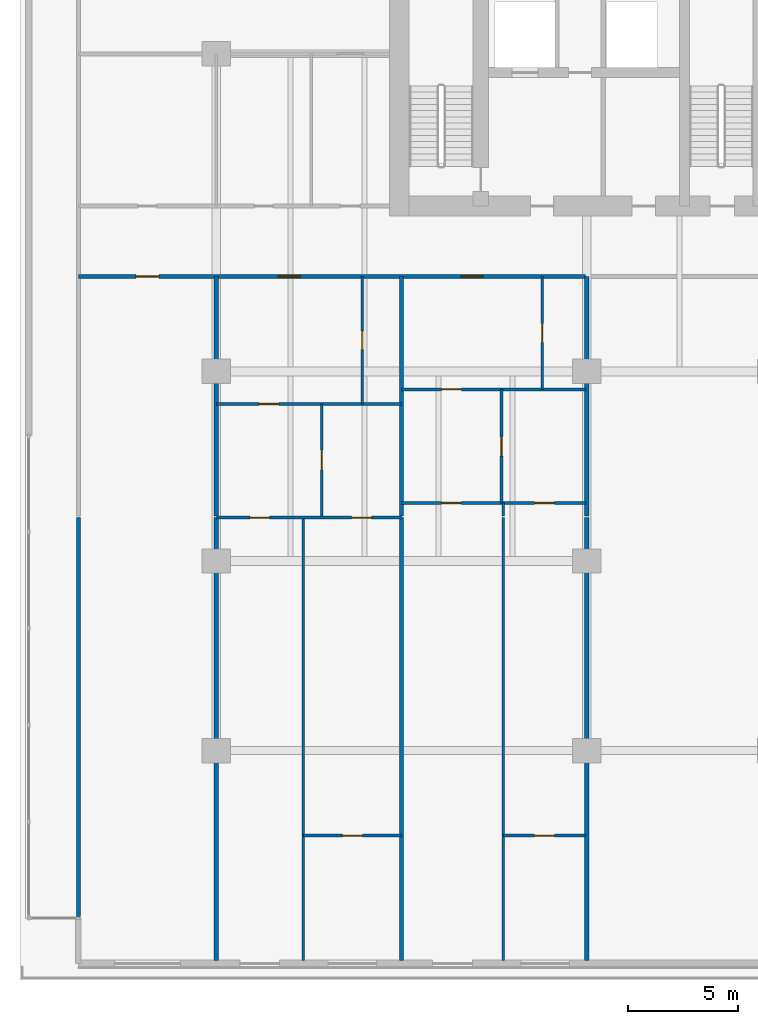
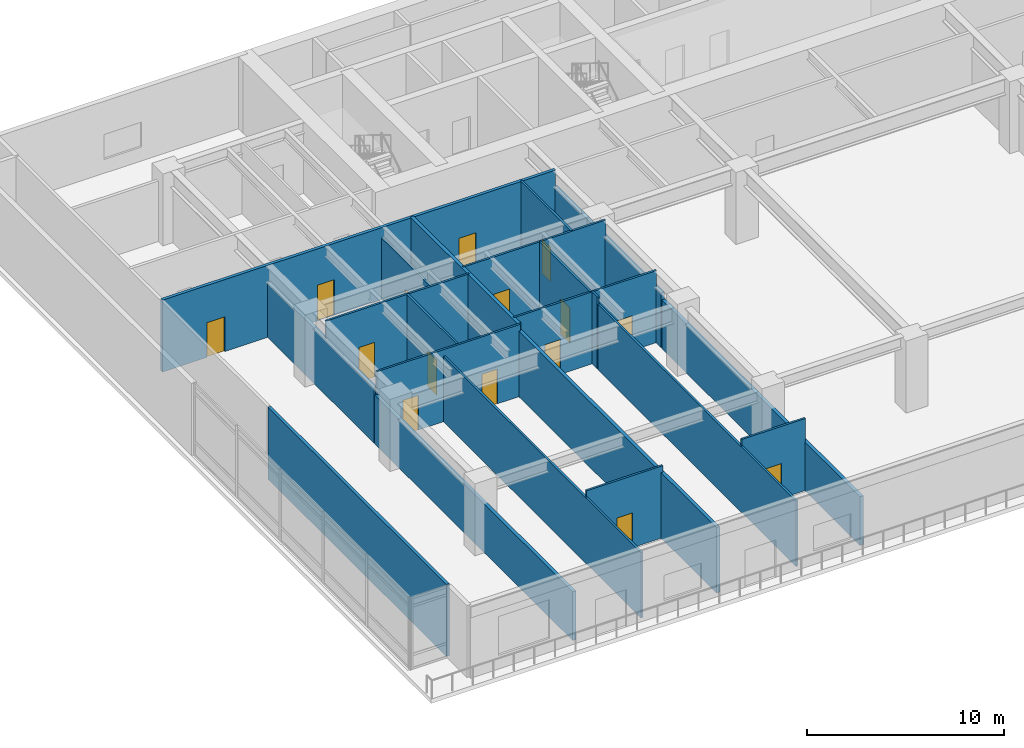
# One storey, part 6 of 13: 21 walls, 15 doors, 15 openings.
"""IFC4 building model written with IfcOpenShell, lengths in metres."""

from ifc_helpers import new_model, si_unit, direction, frame, frame_2d, origin, place, context, subcontext, project, spatial, rectangle, extrude, material, layer, layer_set, type_object, element, fill, save


model = new_model("IFC4")

# Units and contexts
model_context = context("Model", 3, precision=1e-05, world=origin(), true_north=direction((0.0, 1.0)))
body_context = subcontext(model_context, "Body", "Model", "MODEL_VIEW")
ifc_project = project(units=[si_unit("LENGTHUNIT", "METRE"), si_unit("AREAUNIT", "SQUARE_METRE"), si_unit("VOLUMEUNIT", "CUBIC_METRE"), si_unit("PLANEANGLEUNIT", "RADIAN"), si_unit("MASSUNIT", "GRAM", prefix="KILO")], contexts=[model_context])

# Site, building, storey
site_placement = place(None, origin())
site = spatial("IfcSite", under=ifc_project, at=site_placement, CompositionType="ELEMENT")
building_placement = place(site_placement, origin())
building = spatial("IfcBuilding", under=site, at=building_placement, Name="Caelmar Bay Residences", CompositionType="ELEMENT")
storey_placement = place(building_placement, frame((0.0, 0.0, 19.800048828125)))
storey = spatial("IfcBuildingStorey", under=building, at=storey_placement, Name="L04", CompositionType="ELEMENT", Elevation=19.800048828125)

# Wall
ifc_material_1 = material(Name="Double-stud acoustic fire-rated gypsum partition 180 mm")
ifc_layer_1 = layer(ifc_material_1, 0.179931640625)
ifc_layer_set_1 = layer_set([ifc_layer_1], Name="Double-stud acoustic fire-rated gypsum partition 180 mm")
wall_type_1 = type_object("IfcWallType", Name="W-COR-200", PredefinedType="PARTITIONING", material=ifc_layer_set_1)
wall_1_placement = place(storey_placement, frame((3.64990234375, 4.68505859375, 0.0), z_axis=(0.0, 0.0, 1.0), x_axis=(0.0, 1.0, 0.0)))
element("IfcWall", 1, at=wall_1_placement, inside=storey, type_object=wall_type_1, Name="L04 Partition Wall V001", PredefinedType="PARTITIONING", context=body_context, shape_type="SweptSolid", body=[
    extrude(rectangle(XDim=18.0849609375, YDim=0.179931640625, at=frame_2d((9.04248046875, 0.0))), origin(), (0.0, 0.0, 1.0), 4.449951171875),
])

# Wall, openings, doors
wall_2_placement = place(storey_placement, frame((3.64990234375, 33.699951171875, 0.0), z_axis=(0.0, 0.0, 1.0), x_axis=(1.0, 0.0, 0.0)))
wall_2 = element("IfcWall", 2, at=wall_2_placement, inside=storey, type_object=wall_type_1, Name="L04 Partition Wall H060", PredefinedType="PARTITIONING", context=body_context, shape_type="SweptSolid", body=[
    extrude(rectangle(XDim=23.0, YDim=0.179931640625, at=frame_2d((11.5, 0.0))), origin(), (0.0, 0.0, 1.0), 4.449951171875),
])
opening_1_placement = place(wall_2_placement, frame((2.60009765625, 0.0, 0.0)))
opening_1 = element("IfcOpeningElement", 3, at=opening_1_placement, cuts=wall_2, Name="Opening D-L04-123", PredefinedType="OPENING", context=body_context, shape_type="SweptSolid", body=[
    extrude(rectangle(XDim=1.050048828125, YDim=2.14990234375, at=frame_2d((0.52490234375, 1.074951171875))), frame((0.0, 0.099853515625, 0.0), z_axis=(0.0, -1.0, 0.0), x_axis=(1.0, 0.0, 0.0)), (0.0, 0.0, 1.0), 0.199951171875),
])
opening_2_placement = place(wall_2_placement, frame((9.05908203125, 0.0, 0.0)))
opening_2 = element("IfcOpeningElement", 4, at=opening_2_placement, cuts=wall_2, Name="Opening D-L04-124", PredefinedType="OPENING", context=body_context, shape_type="SweptSolid", body=[
    extrude(rectangle(XDim=1.0, YDim=2.199951171875, at=frame_2d((0.5, 1.10009765625))), frame((0.0, 0.099853515625, 0.0), z_axis=(0.0, -1.0, 0.0), x_axis=(1.0, 0.0, 0.0)), (0.0, 0.0, 1.0), 0.199951171875),
])
opening_3_placement = place(wall_2_placement, frame((17.343994140625, 0.0, 0.0)))
opening_3 = element("IfcOpeningElement", 5, at=opening_3_placement, cuts=wall_2, Name="Opening D-L04-131", PredefinedType="OPENING", context=body_context, shape_type="SweptSolid", body=[
    extrude(rectangle(XDim=1.0, YDim=2.199951171875, at=frame_2d((0.5, 1.10009765625))), frame((0.0, 0.099853515625, 0.0), z_axis=(0.0, -1.0, 0.0), x_axis=(1.0, 0.0, 0.0)), (0.0, 0.0, 1.0), 0.199951171875),
])
ifc_material_2 = material(Name="Fire-rated steel and walnut architectural door assembly", Category="steel")
ifc_layer_2 = layer(ifc_material_2, 0.050048828125)
ifc_layer_set_2 = layer_set([ifc_layer_2], Name="Fire-rated steel and walnut architectural door assembly")
door_type_1 = type_object("IfcDoorType", Name="D-FSAE-1050", OperationType="NOTDEFINED", PredefinedType="DOOR", material=ifc_layer_set_2)
door_1_placement = place(opening_1_placement, origin())
door_1 = element("IfcDoor", 6, at=door_1_placement, inside=storey, type_object=door_type_1, Name="L04 West Concierge Office L04 Door", OperationType="SINGLE_SWING_LEFT", OverallHeight=2.14990234375, OverallWidth=1.050048828125, PredefinedType="DOOR", context=body_context, shape_type="SweptSolid", body=[
    extrude(rectangle(XDim=1.050048828125, YDim=2.14990234375, at=frame_2d((0.52490234375, 1.074951171875))), frame((0.0, 0.02490234375, 0.0), z_axis=(0.0, -1.0, 0.0), x_axis=(1.0, 0.0, 0.0)), (0.0, 0.0, 1.0), 0.050048828125),
])
fill(opening_1, door_1)
ifc_layer_3 = layer(ifc_material_2, 0.050048828125)
ifc_layer_set_3 = layer_set([ifc_layer_3], Name="Fire-rated steel and walnut architectural door assembly")
door_type_2 = type_object("IfcDoorType", Name="D-UNIT-1000", OperationType="NOTDEFINED", PredefinedType="DOOR", material=ifc_layer_set_3)
door_2_placement = place(opening_2_placement, origin())
door_2 = element("IfcDoor", 7, at=door_2_placement, inside=storey, type_object=door_type_2, Name="L04 Residence 4A Apartment Hall Door", OperationType="SINGLE_SWING_RIGHT", OverallHeight=2.199951171875, OverallWidth=1.0, PredefinedType="DOOR", context=body_context, shape_type="SweptSolid", body=[
    extrude(rectangle(XDim=1.0, YDim=2.199951171875, at=frame_2d((0.5, 1.10009765625))), frame((0.0, 0.02490234375, 0.0), z_axis=(0.0, -1.0, 0.0), x_axis=(1.0, 0.0, 0.0)), (0.0, 0.0, 1.0), 0.050048828125),
])
fill(opening_2, door_2)
door_3_placement = place(opening_3_placement, origin())
door_3 = element("IfcDoor", 8, at=door_3_placement, inside=storey, type_object=door_type_2, Name="L04 Residence 4B Apartment Hall Door", OperationType="SINGLE_SWING_LEFT", OverallHeight=2.199951171875, OverallWidth=1.0, PredefinedType="DOOR", context=body_context, shape_type="SweptSolid", body=[
    extrude(rectangle(XDim=1.0, YDim=2.199951171875, at=frame_2d((0.5, 1.10009765625))), frame((0.0, 0.02490234375, 0.0), z_axis=(0.0, -1.0, 0.0), x_axis=(1.0, 0.0, 0.0)), (0.0, 0.0, 1.0), 0.050048828125),
])
fill(opening_3, door_3)

# Wall
ifc_material_3 = material(Name="Acoustic metal-stud gypsum partition 120 mm")
ifc_layer_4 = layer(ifc_material_3, 0.1201171875)
ifc_layer_set_4 = layer_set([ifc_layer_4], Name="Acoustic metal-stud gypsum partition 120 mm")
wall_type_2 = type_object("IfcWallType", Name="W-PRT-120", PredefinedType="PARTITIONING", material=ifc_layer_set_4)
wall_3_placement = place(storey_placement, frame((13.847900390625, 2.695068359375, 0.0), z_axis=(0.0, 0.0, 1.0), x_axis=(0.0, 1.0, 0.0)))
element("IfcWall", 9, at=wall_3_placement, inside=storey, type_object=wall_type_2, Name="L04 Partition Wall V006", PredefinedType="PARTITIONING", context=body_context, shape_type="SweptSolid", body=[
    extrude(rectangle(XDim=20.074951171875, YDim=0.1201171875, at=frame_2d((10.03759765625, 0.0))), origin(), (0.0, 0.0, 1.0), 4.050048828125),
])

# Wall, opening, door
wall_4_placement = place(storey_placement, frame((14.68603515625, 22.840087890625, 0.0), z_axis=(0.0, 0.0, 1.0), x_axis=(0.0, 1.0, 0.0)))
wall_4 = element("IfcWall", 10, at=wall_4_placement, inside=storey, type_object=wall_type_2, Name="L04 Partition Wall V008", PredefinedType="PARTITIONING", context=body_context, shape_type="SweptSolid", body=[
    extrude(rectangle(XDim=5.079833984375, YDim=0.1201171875, at=frame_2d((2.5400390625, 0.0))), origin(), (0.0, 0.0, 1.0), 4.449951171875),
])
opening_4_placement = place(wall_4_placement, frame((2.090087890625, 0.0, 0.0)))
opening_4 = element("IfcOpeningElement", 11, at=opening_4_placement, cuts=wall_4, Name="Opening D-L04-127", PredefinedType="OPENING", context=body_context, shape_type="SweptSolid", body=[
    extrude(rectangle(XDim=0.89990234375, YDim=2.14990234375, at=frame_2d((0.449951171875, 1.074951171875))), frame((0.0, 0.070068359375, 0.0), z_axis=(0.0, -1.0, 0.0), x_axis=(1.0, 0.0, 0.0)), (0.0, 0.0, 1.0), 0.14013671875),
])
ifc_material_4 = material(Name="Solid walnut timber interior door leaf and frame", Category="wood")
ifc_layer_5 = layer(ifc_material_4, 0.050048828125)
ifc_layer_set_5 = layer_set([ifc_layer_5], Name="Solid walnut timber interior door leaf and frame")
door_type_3 = type_object("IfcDoorType", Name="D-ROOM-900", OperationType="NOTDEFINED", PredefinedType="DOOR", material=ifc_layer_set_5)
door_4_placement = place(opening_4_placement, origin())
door_4 = element("IfcDoor", 12, at=door_4_placement, inside=storey, type_object=door_type_3, Name="L04 Residence 4A Study Door", OperationType="SINGLE_SWING_LEFT", OverallHeight=2.14990234375, OverallWidth=0.89990234375, PredefinedType="DOOR", context=body_context, shape_type="SweptSolid", body=[
    extrude(rectangle(XDim=0.89990234375, YDim=2.14990234375, at=frame_2d((0.449951171875, 1.074951171875))), frame((0.0, 0.02490234375, 0.0), z_axis=(0.0, -1.0, 0.0), x_axis=(1.0, 0.0, 0.0)), (0.0, 0.0, 1.0), 0.050048828125),
])
fill(opening_4, door_4)

wall_5_placement = place(storey_placement, frame((16.51806640625, 27.919921875, 0.0), z_axis=(0.0, 0.0, 1.0), x_axis=(0.0, 1.0, 0.0)))
wall_5 = element("IfcWall", 13, at=wall_5_placement, inside=storey, type_object=wall_type_2, Name="L04 Partition Wall V009", PredefinedType="PARTITIONING", context=body_context, shape_type="SweptSolid", body=[
    extrude(rectangle(XDim=5.780029296875, YDim=0.1201171875, at=frame_2d((2.89013671875, 0.0))), origin(), (0.0, 0.0, 1.0), 3.822998046875),
])
opening_5_placement = place(wall_5_placement, frame((2.465087890625, 0.0, 0.0)))
opening_5 = element("IfcOpeningElement", 14, at=opening_5_placement, cuts=wall_5, Name="Opening D-L04-125", PredefinedType="OPENING", context=body_context, shape_type="SweptSolid", body=[
    extrude(rectangle(XDim=0.85009765625, YDim=2.10009765625, at=frame_2d((0.425048828125, 1.050048828125))), frame((0.0, 0.070068359375, 0.0), z_axis=(0.0, -1.0, 0.0), x_axis=(1.0, 0.0, 0.0)), (0.0, 0.0, 1.0), 0.14013671875),
])
ifc_layer_6 = layer(ifc_material_4, 0.050048828125)
ifc_layer_set_6 = layer_set([ifc_layer_6], Name="Solid walnut timber interior door leaf and frame")
door_type_4 = type_object("IfcDoorType", Name="D-BATH-850", OperationType="NOTDEFINED", PredefinedType="DOOR", material=ifc_layer_set_6)
door_5_placement = place(opening_5_placement, origin())
door_5 = element("IfcDoor", 15, at=door_5_placement, inside=storey, type_object=door_type_4, Name="L04 Residence 4A Bathroom Door", OperationType="SINGLE_SWING_LEFT", OverallHeight=2.10009765625, OverallWidth=0.85009765625, PredefinedType="DOOR", context=body_context, shape_type="SweptSolid", body=[
    extrude(rectangle(XDim=0.85009765625, YDim=2.10009765625, at=frame_2d((0.425048828125, 1.050048828125))), frame((0.0, 0.02490234375, 0.0), z_axis=(0.0, -1.0, 0.0), x_axis=(1.0, 0.0, 0.0)), (0.0, 0.0, 1.0), 0.050048828125),
])
fill(opening_5, door_5)

wall_6_placement = place(storey_placement, frame((22.8359375, 23.429931640625, 0.0), z_axis=(0.0, 0.0, 1.0), x_axis=(0.0, 1.0, 0.0)))
wall_6 = element("IfcWall", 16, at=wall_6_placement, inside=storey, type_object=wall_type_2, Name="L04 Partition Wall V014", PredefinedType="PARTITIONING", context=body_context, shape_type="SweptSolid", body=[
    extrude(rectangle(XDim=5.150146484375, YDim=0.1201171875, at=frame_2d((2.5751953125, 0.0))), origin(), (0.0, 0.0, 1.0), 4.449951171875),
])
opening_6_placement = place(wall_6_placement, frame((2.125, 0.0, 0.0)))
opening_6 = element("IfcOpeningElement", 17, at=opening_6_placement, cuts=wall_6, Name="Opening D-L04-134", PredefinedType="OPENING", context=body_context, shape_type="SweptSolid", body=[
    extrude(rectangle(XDim=0.89990234375, YDim=2.14990234375, at=frame_2d((0.449951171875, 1.074951171875))), frame((0.0, 0.070068359375, 0.0), z_axis=(0.0, -1.0, 0.0), x_axis=(1.0, 0.0, 0.0)), (0.0, 0.0, 1.0), 0.14013671875),
])
door_6_placement = place(opening_6_placement, origin())
door_6 = element("IfcDoor", 18, at=door_6_placement, inside=storey, type_object=door_type_3, Name="L04 Residence 4B Private Reception Salon Door", OperationType="SINGLE_SWING_RIGHT", OverallHeight=2.14990234375, OverallWidth=0.89990234375, PredefinedType="DOOR", context=body_context, shape_type="SweptSolid", body=[
    extrude(rectangle(XDim=0.89990234375, YDim=2.14990234375, at=frame_2d((0.449951171875, 1.074951171875))), frame((0.0, 0.02490234375, 0.0), z_axis=(0.0, -1.0, 0.0), x_axis=(1.0, 0.0, 0.0)), (0.0, 0.0, 1.0), 0.050048828125),
])
fill(opening_6, door_6)

# Walls
wall_7_placement = place(storey_placement, frame((22.919921875, 2.695068359375, 0.0), z_axis=(0.0, 0.0, 1.0), x_axis=(0.0, 1.0, 0.0)))
element("IfcWall", 19, at=wall_7_placement, inside=storey, type_object=wall_type_2, Name="L04 Partition Wall V015", PredefinedType="PARTITIONING", context=body_context, shape_type="SweptSolid", body=[
    extrude(rectangle(XDim=20.074951171875, YDim=0.1201171875, at=frame_2d((10.03759765625, 0.0))), origin(), (0.0, 0.0, 1.0), 4.050048828125),
])
wall_8_placement = place(storey_placement, frame((22.919921875, 22.840087890625, 0.0), z_axis=(0.0, 0.0, 1.0), x_axis=(0.0, 1.0, 0.0)))
element("IfcWall", 20, at=wall_8_placement, inside=storey, type_object=wall_type_2, Name="L04 Partition Wall V016", PredefinedType="PARTITIONING", context=body_context, shape_type="SweptSolid", body=[
    extrude(rectangle(XDim=0.5849609375, YDim=0.1201171875, at=frame_2d((0.29248046875, 0.0))), origin(), (0.0, 0.0, 1.0), 4.449951171875),
])

# Wall, opening, door
wall_9_placement = place(storey_placement, frame((24.68798828125, 28.580078125, 0.0), z_axis=(0.0, 0.0, 1.0), x_axis=(0.0, 1.0, 0.0)))
wall_9 = element("IfcWall", 21, at=wall_9_placement, inside=storey, type_object=wall_type_2, Name="L04 Partition Wall V017", PredefinedType="PARTITIONING", context=body_context, shape_type="SweptSolid", body=[
    extrude(rectangle(XDim=5.119873046875, YDim=0.1201171875, at=frame_2d((2.56005859375, 0.0))), origin(), (0.0, 0.0, 1.0), 4.449951171875),
])
opening_7_placement = place(wall_9_placement, frame((2.135009765625, 0.0, 0.0)))
opening_7 = element("IfcOpeningElement", 22, at=opening_7_placement, cuts=wall_9, Name="Opening D-L04-132", PredefinedType="OPENING", context=body_context, shape_type="SweptSolid", body=[
    extrude(rectangle(XDim=0.85009765625, YDim=2.10009765625, at=frame_2d((0.425048828125, 1.050048828125))), frame((0.0, 0.070068359375, 0.0), z_axis=(0.0, -1.0, 0.0), x_axis=(1.0, 0.0, 0.0)), (0.0, 0.0, 1.0), 0.14013671875),
])
door_7_placement = place(opening_7_placement, origin())
door_7 = element("IfcDoor", 23, at=door_7_placement, inside=storey, type_object=door_type_4, Name="L04 Residence 4B Bathroom Door", OperationType="SINGLE_SWING_RIGHT", OverallHeight=2.10009765625, OverallWidth=0.85009765625, PredefinedType="DOOR", context=body_context, shape_type="SweptSolid", body=[
    extrude(rectangle(XDim=0.85009765625, YDim=2.10009765625, at=frame_2d((0.425048828125, 1.050048828125))), frame((0.0, 0.02490234375, 0.0), z_axis=(0.0, -1.0, 0.0), x_axis=(1.0, 0.0, 0.0)), (0.0, 0.0, 1.0), 0.050048828125),
])
fill(opening_7, door_7)

wall_10_placement = place(storey_placement, frame((13.847900390625, 8.35009765625, 0.0), z_axis=(0.0, 0.0, 1.0), x_axis=(1.0, 0.0, 0.0)))
wall_10 = element("IfcWall", 24, at=wall_10_placement, inside=storey, type_object=wall_type_2, Name="L04 Partition Wall H049", PredefinedType="PARTITIONING", context=body_context, shape_type="SweptSolid", body=[
    extrude(rectangle(XDim=4.4521484375, YDim=0.1201171875, at=frame_2d((2.22607421875, 0.0))), origin(), (0.0, 0.0, 1.0), 4.449951171875),
])
opening_8_placement = place(wall_10_placement, frame((1.77587890625, 0.0, 0.0)))
opening_8 = element("IfcOpeningElement", 25, at=opening_8_placement, cuts=wall_10, Name="Opening D-L04-130", PredefinedType="OPENING", context=body_context, shape_type="SweptSolid", body=[
    extrude(rectangle(XDim=0.89990234375, YDim=2.14990234375, at=frame_2d((0.449951171875, 1.074951171875))), frame((0.0, 0.070068359375, 0.0), z_axis=(0.0, -1.0, 0.0), x_axis=(1.0, 0.0, 0.0)), (0.0, 0.0, 1.0), 0.14013671875),
])
door_8_placement = place(opening_8_placement, origin())
door_8 = element("IfcDoor", 26, at=door_8_placement, inside=storey, type_object=door_type_3, Name="L04 Residence 4A Primary Bedroom Door", OperationType="SINGLE_SWING_RIGHT", OverallHeight=2.14990234375, OverallWidth=0.89990234375, PredefinedType="DOOR", context=body_context, shape_type="SweptSolid", body=[
    extrude(rectangle(XDim=0.89990234375, YDim=2.14990234375, at=frame_2d((0.449951171875, 1.074951171875))), frame((0.0, 0.02490234375, 0.0), z_axis=(0.0, -1.0, 0.0), x_axis=(1.0, 0.0, 0.0)), (0.0, 0.0, 1.0), 0.050048828125),
])
fill(opening_8, door_8)

wall_11_placement = place(storey_placement, frame((22.919921875, 8.35009765625, 0.0), z_axis=(0.0, 0.0, 1.0), x_axis=(1.0, 0.0, 0.0)))
wall_11 = element("IfcWall", 27, at=wall_11_placement, inside=storey, type_object=wall_type_2, Name="L04 Partition Wall H050", PredefinedType="PARTITIONING", context=body_context, shape_type="SweptSolid", body=[
    extrude(rectangle(XDim=3.72998046875, YDim=0.1201171875, at=frame_2d((1.864990234375, 0.0))), origin(), (0.0, 0.0, 1.0), 4.449951171875),
])
opening_9_placement = place(wall_11_placement, frame((1.4150390625, 0.0, 0.0)))
opening_9 = element("IfcOpeningElement", 28, at=opening_9_placement, cuts=wall_11, Name="Opening D-L04-137", PredefinedType="OPENING", context=body_context, shape_type="SweptSolid", body=[
    extrude(rectangle(XDim=0.89990234375, YDim=2.14990234375, at=frame_2d((0.449951171875, 1.074951171875))), frame((0.0, 0.070068359375, 0.0), z_axis=(0.0, -1.0, 0.0), x_axis=(1.0, 0.0, 0.0)), (0.0, 0.0, 1.0), 0.14013671875),
])
door_9_placement = place(opening_9_placement, origin())
door_9 = element("IfcDoor", 29, at=door_9_placement, inside=storey, type_object=door_type_3, Name="L04 Residence 4B Primary Bedroom Door", OperationType="SINGLE_SWING_LEFT", OverallHeight=2.14990234375, OverallWidth=0.89990234375, PredefinedType="DOOR", context=body_context, shape_type="SweptSolid", body=[
    extrude(rectangle(XDim=0.89990234375, YDim=2.14990234375, at=frame_2d((0.449951171875, 1.074951171875))), frame((0.0, 0.02490234375, 0.0), z_axis=(0.0, -1.0, 0.0), x_axis=(1.0, 0.0, 0.0)), (0.0, 0.0, 1.0), 0.050048828125),
])
fill(opening_9, door_9)

# Wall, openings, doors
wall_12_placement = place(storey_placement, frame((9.89990234375, 22.77001953125, 0.0), z_axis=(0.0, 0.0, 1.0), x_axis=(1.0, 0.0, 0.0)))
wall_12 = element("IfcWall", 30, at=wall_12_placement, inside=storey, type_object=wall_type_2, Name="L04 Partition Wall H052", PredefinedType="PARTITIONING", context=body_context, shape_type="SweptSolid", body=[
    extrude(rectangle(XDim=8.400146484375, YDim=0.1201171875, at=frame_2d((4.2001953125, 0.0))), origin(), (0.0, 0.0, 1.0), 4.449951171875),
])
opening_10_placement = place(wall_12_placement, frame((1.52392578125, 0.0, 0.0)))
opening_10 = element("IfcOpeningElement", 31, at=opening_10_placement, cuts=wall_12, Name="Opening D-L04-128", PredefinedType="OPENING", context=body_context, shape_type="SweptSolid", body=[
    extrude(rectangle(XDim=0.89990234375, YDim=2.14990234375, at=frame_2d((0.449951171875, 1.074951171875))), frame((0.0, 0.070068359375, 0.0), z_axis=(0.0, -1.0, 0.0), x_axis=(1.0, 0.0, 0.0)), (0.0, 0.0, 1.0), 0.14013671875),
])
opening_11_placement = place(wall_12_placement, frame((6.14306640625, 0.0, 0.0)))
opening_11 = element("IfcOpeningElement", 32, at=opening_11_placement, cuts=wall_12, Name="Opening D-L04-129", PredefinedType="OPENING", context=body_context, shape_type="SweptSolid", body=[
    extrude(rectangle(XDim=0.89990234375, YDim=2.14990234375, at=frame_2d((0.449951171875, 1.074951171875))), frame((0.0, 0.070068359375, 0.0), z_axis=(0.0, -1.0, 0.0), x_axis=(1.0, 0.0, 0.0)), (0.0, 0.0, 1.0), 0.14013671875),
])
door_10_placement = place(opening_10_placement, origin())
door_10 = element("IfcDoor", 33, at=door_10_placement, inside=storey, type_object=door_type_3, Name="L04 Residence 4A Penthouse Living Salon Door", OperationType="SINGLE_SWING_RIGHT", OverallHeight=2.14990234375, OverallWidth=0.89990234375, PredefinedType="DOOR", context=body_context, shape_type="SweptSolid", body=[
    extrude(rectangle(XDim=0.89990234375, YDim=2.14990234375, at=frame_2d((0.449951171875, 1.074951171875))), frame((0.0, 0.02490234375, 0.0), z_axis=(0.0, -1.0, 0.0), x_axis=(1.0, 0.0, 0.0)), (0.0, 0.0, 1.0), 0.050048828125),
])
fill(opening_10, door_10)
door_11_placement = place(opening_11_placement, origin())
door_11 = element("IfcDoor", 34, at=door_11_placement, inside=storey, type_object=door_type_3, Name="L04 Residence 4A Penthouse Sitting Room Door", OperationType="SINGLE_SWING_LEFT", OverallHeight=2.14990234375, OverallWidth=0.89990234375, PredefinedType="DOOR", context=body_context, shape_type="SweptSolid", body=[
    extrude(rectangle(XDim=0.89990234375, YDim=2.14990234375, at=frame_2d((0.449951171875, 1.074951171875))), frame((0.0, 0.02490234375, 0.0), z_axis=(0.0, -1.0, 0.0), x_axis=(1.0, 0.0, 0.0)), (0.0, 0.0, 1.0), 0.050048828125),
])
fill(opening_11, door_11)

wall_13_placement = place(storey_placement, frame((18.300048828125, 23.429931640625, 0.0), z_axis=(0.0, 0.0, 1.0), x_axis=(1.0, 0.0, 0.0)))
wall_13 = element("IfcWall", 35, at=wall_13_placement, inside=storey, type_object=wall_type_2, Name="L04 Partition Wall H055", PredefinedType="PARTITIONING", context=body_context, shape_type="SweptSolid", body=[
    extrude(rectangle(XDim=8.349853515625, YDim=0.1201171875, at=frame_2d((4.1748046875, 0.0))), origin(), (0.0, 0.0, 1.0), 4.449951171875),
])
opening_12_placement = place(wall_13_placement, frame((1.818115234375, 0.0, 0.0)))
opening_12 = element("IfcOpeningElement", 36, at=opening_12_placement, cuts=wall_13, Name="Opening D-L04-135", PredefinedType="OPENING", context=body_context, shape_type="SweptSolid", body=[
    extrude(rectangle(XDim=0.89990234375, YDim=2.14990234375, at=frame_2d((0.449951171875, 1.074951171875))), frame((0.0, 0.070068359375, 0.0), z_axis=(0.0, -1.0, 0.0), x_axis=(1.0, 0.0, 0.0)), (0.0, 0.0, 1.0), 0.14013671875),
])
opening_13_placement = place(wall_13_placement, frame((6.034912109375, 0.0, 0.0)))
opening_13 = element("IfcOpeningElement", 37, at=opening_13_placement, cuts=wall_13, Name="Opening D-L04-136", PredefinedType="OPENING", context=body_context, shape_type="SweptSolid", body=[
    extrude(rectangle(XDim=0.89990234375, YDim=2.14990234375, at=frame_2d((0.449951171875, 1.074951171875))), frame((0.0, 0.070068359375, 0.0), z_axis=(0.0, -1.0, 0.0), x_axis=(1.0, 0.0, 0.0)), (0.0, 0.0, 1.0), 0.14013671875),
])
door_12_placement = place(opening_12_placement, origin())
door_12 = element("IfcDoor", 38, at=door_12_placement, inside=storey, type_object=door_type_3, Name="L04 Residence 4B Penthouse Living Salon Door", OperationType="SINGLE_SWING_LEFT", OverallHeight=2.14990234375, OverallWidth=0.89990234375, PredefinedType="DOOR", context=body_context, shape_type="SweptSolid", body=[
    extrude(rectangle(XDim=0.89990234375, YDim=2.14990234375, at=frame_2d((0.449951171875, 1.074951171875))), frame((0.0, 0.02490234375, 0.0), z_axis=(0.0, -1.0, 0.0), x_axis=(1.0, 0.0, 0.0)), (0.0, 0.0, 1.0), 0.050048828125),
])
fill(opening_12, door_12)
door_13_placement = place(opening_13_placement, origin())
door_13 = element("IfcDoor", 39, at=door_13_placement, inside=storey, type_object=door_type_3, Name="L04 Residence 4B Penthouse Sitting Room Door", OperationType="SINGLE_SWING_RIGHT", OverallHeight=2.14990234375, OverallWidth=0.89990234375, PredefinedType="DOOR", context=body_context, shape_type="SweptSolid", body=[
    extrude(rectangle(XDim=0.89990234375, YDim=2.14990234375, at=frame_2d((0.449951171875, 1.074951171875))), frame((0.0, 0.02490234375, 0.0), z_axis=(0.0, -1.0, 0.0), x_axis=(1.0, 0.0, 0.0)), (0.0, 0.0, 1.0), 0.050048828125),
])
fill(opening_13, door_13)

# Wall, opening, door
wall_14_placement = place(storey_placement, frame((9.89990234375, 27.919921875, 0.0), z_axis=(0.0, 0.0, 1.0), x_axis=(1.0, 0.0, 0.0)))
wall_14 = element("IfcWall", 40, at=wall_14_placement, inside=storey, type_object=wall_type_2, Name="L04 Partition Wall H058", PredefinedType="PARTITIONING", context=body_context, shape_type="SweptSolid", body=[
    extrude(rectangle(XDim=8.400146484375, YDim=0.1201171875, at=frame_2d((4.2001953125, 0.0))), origin(), (0.0, 0.0, 1.0), 4.449951171875),
])
opening_14_placement = place(wall_14_placement, frame((1.943115234375, 0.0, 0.0)))
opening_14 = element("IfcOpeningElement", 41, at=opening_14_placement, cuts=wall_14, Name="Opening D-L04-126", PredefinedType="OPENING", context=body_context, shape_type="SweptSolid", body=[
    extrude(rectangle(XDim=0.89990234375, YDim=2.14990234375, at=frame_2d((0.449951171875, 1.074951171875))), frame((0.0, 0.070068359375, 0.0), z_axis=(0.0, -1.0, 0.0), x_axis=(1.0, 0.0, 0.0)), (0.0, 0.0, 1.0), 0.14013671875),
])
door_14_placement = place(opening_14_placement, origin())
door_14 = element("IfcDoor", 42, at=door_14_placement, inside=storey, type_object=door_type_3, Name="L04 Residence 4A Kitchen Door", OperationType="SINGLE_SWING_RIGHT", OverallHeight=2.14990234375, OverallWidth=0.89990234375, PredefinedType="DOOR", context=body_context, shape_type="SweptSolid", body=[
    extrude(rectangle(XDim=0.89990234375, YDim=2.14990234375, at=frame_2d((0.449951171875, 1.074951171875))), frame((0.0, 0.02490234375, 0.0), z_axis=(0.0, -1.0, 0.0), x_axis=(1.0, 0.0, 0.0)), (0.0, 0.0, 1.0), 0.050048828125),
])
fill(opening_14, door_14)

wall_15_placement = place(storey_placement, frame((18.300048828125, 28.580078125, 0.0), z_axis=(0.0, 0.0, 1.0), x_axis=(1.0, 0.0, 0.0)))
wall_15 = element("IfcWall", 43, at=wall_15_placement, inside=storey, type_object=wall_type_2, Name="L04 Partition Wall H059", PredefinedType="PARTITIONING", context=body_context, shape_type="SweptSolid", body=[
    extrude(rectangle(XDim=8.349853515625, YDim=0.1201171875, at=frame_2d((4.1748046875, 0.0))), origin(), (0.0, 0.0, 1.0), 4.449951171875),
])
opening_15_placement = place(wall_15_placement, frame((1.818115234375, 0.0, 0.0)))
opening_15 = element("IfcOpeningElement", 44, at=opening_15_placement, cuts=wall_15, Name="Opening D-L04-133", PredefinedType="OPENING", context=body_context, shape_type="SweptSolid", body=[
    extrude(rectangle(XDim=0.89990234375, YDim=2.14990234375, at=frame_2d((0.449951171875, 1.074951171875))), frame((0.0, 0.070068359375, 0.0), z_axis=(0.0, -1.0, 0.0), x_axis=(1.0, 0.0, 0.0)), (0.0, 0.0, 1.0), 0.14013671875),
])
door_15_placement = place(opening_15_placement, origin())
door_15 = element("IfcDoor", 45, at=door_15_placement, inside=storey, type_object=door_type_3, Name="L04 Residence 4B Kitchen Door", OperationType="SINGLE_SWING_LEFT", OverallHeight=2.14990234375, OverallWidth=0.89990234375, PredefinedType="DOOR", context=body_context, shape_type="SweptSolid", body=[
    extrude(rectangle(XDim=0.89990234375, YDim=2.14990234375, at=frame_2d((0.449951171875, 1.074951171875))), frame((0.0, 0.02490234375, 0.0), z_axis=(0.0, -1.0, 0.0), x_axis=(1.0, 0.0, 0.0)), (0.0, 0.0, 1.0), 0.050048828125),
])
fill(opening_15, door_15)

# Walls
ifc_material_5 = material(Name="Acoustic twin-stud fire-rated inter-tenancy partition 200 mm")
ifc_layer_7 = layer(ifc_material_5, 0.199951171875)
ifc_layer_set_7 = layer_set([ifc_layer_7], Name="Acoustic twin-stud fire-rated inter-tenancy partition 200 mm")
wall_type_3 = type_object("IfcWallType", Name="W-PTY-200", PredefinedType="PARTITIONING", material=ifc_layer_set_7)
wall_16_placement = place(storey_placement, frame((9.89990234375, 2.695068359375, 0.0), z_axis=(0.0, 0.0, 1.0), x_axis=(0.0, 1.0, 0.0)))
element("IfcWall", 46, at=wall_16_placement, inside=storey, type_object=wall_type_3, Name="L04 Partition Wall V003", PredefinedType="PARTITIONING", context=body_context, shape_type="SweptSolid", body=[
    extrude(rectangle(XDim=20.074951171875, YDim=0.199951171875, at=frame_2d((10.03759765625, 0.0))), origin(), (0.0, 0.0, 1.0), 3.013916015625),
])
wall_17_placement = place(storey_placement, frame((9.89990234375, 22.840087890625, 0.0), z_axis=(0.0, 0.0, 1.0), x_axis=(0.0, 1.0, 0.0)))
element("IfcWall", 47, at=wall_17_placement, inside=storey, type_object=wall_type_3, Name="L04 Partition Wall V004", PredefinedType="PARTITIONING", context=body_context, shape_type="SweptSolid", body=[
    extrude(rectangle(XDim=10.85986328125, YDim=0.199951171875, at=frame_2d((5.429931640625, 0.0))), origin(), (0.0, 0.0, 1.0), 3.4140625),
])
wall_18_placement = place(storey_placement, frame((18.300048828125, 2.695068359375, 0.0), z_axis=(0.0, 0.0, 1.0), x_axis=(0.0, 1.0, 0.0)))
element("IfcWall", 48, at=wall_18_placement, inside=storey, type_object=wall_type_3, Name="L04 Partition Wall V010", PredefinedType="PARTITIONING", context=body_context, shape_type="SweptSolid", body=[
    extrude(rectangle(XDim=20.074951171875, YDim=0.199951171875, at=frame_2d((10.03759765625, 0.0))), origin(), (0.0, 0.0, 1.0), 4.050048828125),
])
wall_19_placement = place(storey_placement, frame((18.300048828125, 22.840087890625, 0.0), z_axis=(0.0, 0.0, 1.0), x_axis=(0.0, 1.0, 0.0)))
element("IfcWall", 49, at=wall_19_placement, inside=storey, type_object=wall_type_3, Name="L04 Partition Wall V011", PredefinedType="PARTITIONING", context=body_context, shape_type="SweptSolid", body=[
    extrude(rectangle(XDim=10.85986328125, YDim=0.199951171875, at=frame_2d((5.429931640625, 0.0))), origin(), (0.0, 0.0, 1.0), 4.449951171875),
])
wall_20_placement = place(storey_placement, frame((26.699951171875, 2.695068359375, 0.0), z_axis=(0.0, 0.0, 1.0), x_axis=(0.0, 1.0, 0.0)))
element("IfcWall", 50, at=wall_20_placement, inside=storey, type_object=wall_type_3, Name="L04 Partition Wall V020", PredefinedType="PARTITIONING", context=body_context, shape_type="SweptSolid", body=[
    extrude(rectangle(XDim=20.074951171875, YDim=0.199951171875, at=frame_2d((10.03759765625, 0.0))), origin(), (0.0, 0.0, 1.0), 3.013916015625),
])
wall_21_placement = place(storey_placement, frame((26.699951171875, 22.840087890625, 0.0), z_axis=(0.0, 0.0, 1.0), x_axis=(0.0, 1.0, 0.0)))
element("IfcWall", 51, at=wall_21_placement, inside=storey, type_object=wall_type_3, Name="L04 Partition Wall V021", PredefinedType="PARTITIONING", context=body_context, shape_type="SweptSolid", body=[
    extrude(rectangle(XDim=10.85986328125, YDim=0.199951171875, at=frame_2d((5.429931640625, 0.0))), origin(), (0.0, 0.0, 1.0), 3.4140625),
])

save(model, "model.ifc")
